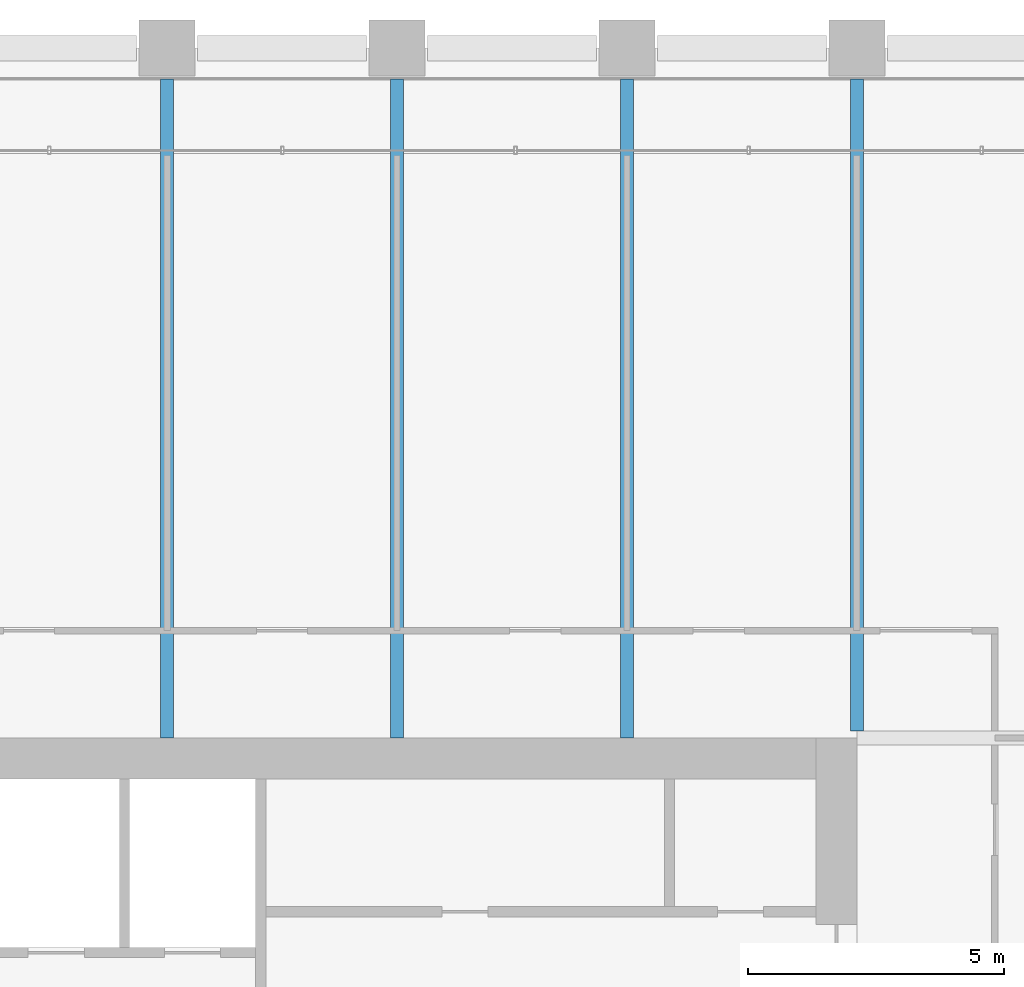
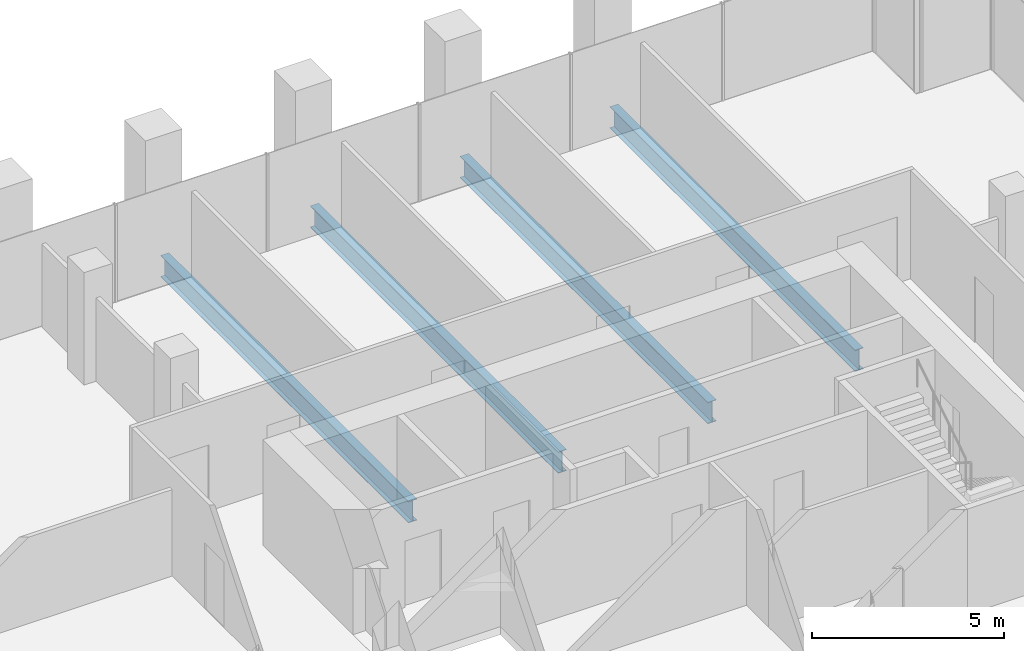
# One storey, part 28 of 55: 4 beams.
"""IFC4 building model written with IfcOpenShell, lengths in metres."""

from ifc_helpers import new_model, si_unit, direction, frame, origin, origin_2d, place, context, subcontext, project, spatial, i_section, extrude, material, material_profile, profile_set, type_object, element, save


model = new_model("IFC4")

# Units and contexts
model_context = context("Model", 3, precision=1e-05, world=origin(), true_north=direction((0.0, 1.0)))
body_context = subcontext(model_context, "Body", "Model", "MODEL_VIEW")
ifc_project = project(units=[si_unit("LENGTHUNIT", "METRE"), si_unit("AREAUNIT", "SQUARE_METRE"), si_unit("VOLUMEUNIT", "CUBIC_METRE"), si_unit("PLANEANGLEUNIT", "RADIAN"), si_unit("MASSUNIT", "GRAM", prefix="KILO")], contexts=[model_context])

# Site, building, storey
site_placement = place(None, origin())
site = spatial("IfcSite", under=ifc_project, at=site_placement, CompositionType="ELEMENT")
building_placement = place(site_placement, origin())
building = spatial("IfcBuilding", under=site, at=building_placement, Name="Altepetl Exchange Towers", CompositionType="ELEMENT")
storey_placement = place(building_placement, frame((0.0, 0.0, 47.39990234375)))
storey = spatial("IfcBuildingStorey", under=building, at=storey_placement, Name="L10", CompositionType="ELEMENT", Elevation=47.39990234375)

# Beams
ifc_material = material(Name="Steel S355", Category="steel")
ifc_material_profile = material_profile(ifc_material, i_section(OverallWidth=0.25390625, OverallDepth=0.68408203125, WebThickness=0.012451171875, FlangeThickness=0.018798828125, at=origin_2d()), Name="W27X94")
ifc_profile_set = profile_set([ifc_material_profile], Name="Steel S355")
beam_type = type_object("IfcBeamType", Name="Floor beam W27X94", PredefinedType="BEAM", material=ifc_profile_set)
for number, where, z_axis, x_axis, name in (
    (1, (45.0, 58.5, -0.491943359375), (0.0, 1.0, 0.0), (-1.0, 0.0, 0.0), "bm:A:L10:000"),
    (2, (49.5, 58.5, -0.491943359375), (0.0, 1.0, 0.0), (-1.0, 0.0, 0.0), "bm:A:L10:001"),
    (3, (54.0, 58.5, -0.491943359375), (0.0, 1.0, 0.0), (-1.0, 0.0, 0.0), "bm:A:L10:002"),
):
    element("IfcBeam", number, at=place(storey_placement, frame(where, z_axis=z_axis, x_axis=x_axis)), inside=storey, type_object=beam_type, Name=name, PredefinedType="BEAM", context=body_context, shape_type="SweptSolid", body=[
        extrude(i_section(OverallWidth=0.25390625, OverallDepth=0.68408203125, WebThickness=0.012451171875, FlangeThickness=0.018798828125, at=origin_2d()), origin(), (0.0, 0.0, 1.0), 12.89990234375),
    ])
beam_placement = place(storey_placement, frame((58.5, 58.634033203125, -0.491943359375), z_axis=(0.0, 1.0, 0.0), x_axis=(-1.0, 0.0, 0.0)))
element("IfcBeam", 4, at=beam_placement, inside=storey, type_object=beam_type, Name="bm:A:L10:003", PredefinedType="BEAM", context=body_context, shape_type="SweptSolid", body=[
    extrude(i_section(OverallWidth=0.25390625, OverallDepth=0.68408203125, WebThickness=0.012451171875, FlangeThickness=0.018798828125, at=origin_2d()), origin(), (0.0, 0.0, 1.0), 12.765869140625),
])

save(model, "model.ifc")
